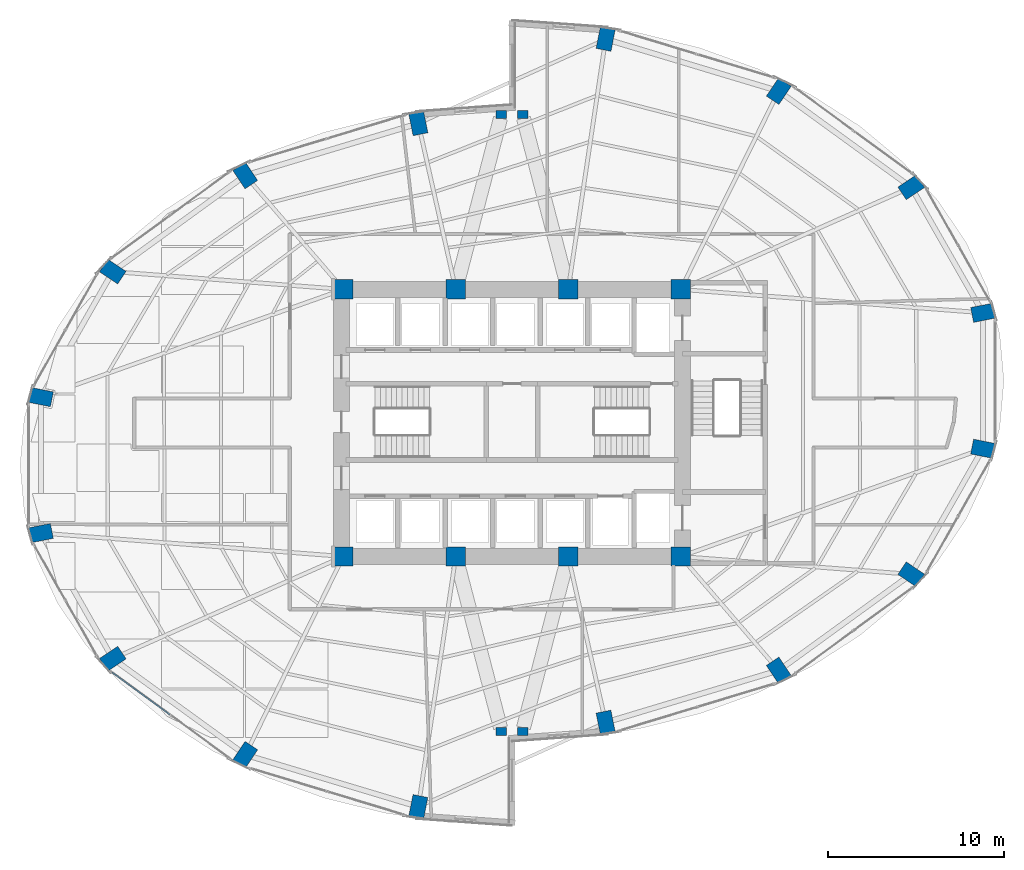
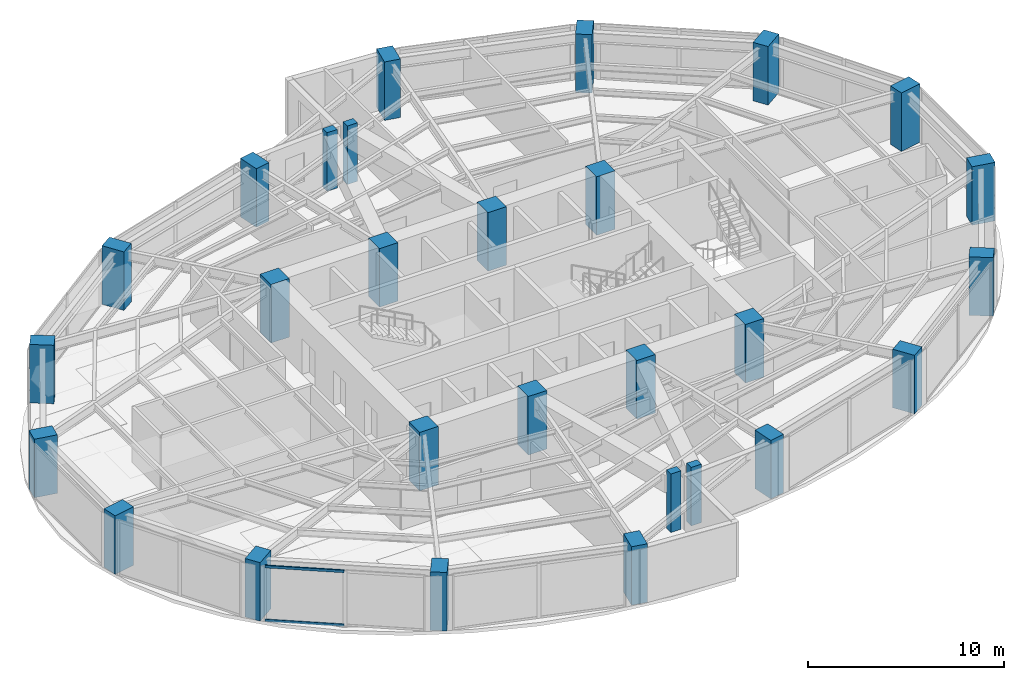
# One storey, part 1 of 24: 28 columns, 2 members, 1 element without a shape of its own.
"""IFC4 building model written with IfcOpenShell, lengths in metres."""

from ifc_helpers import new_model, si_unit, direction, frame, origin, origin_2d, place, context, subcontext, project, spatial, rectangle, hollow_rectangle, extrude, material, layer, layer_set, material_profile, profile_set, type_object, element, aggregate, save


model = new_model("IFC4")

# Units and contexts
model_context = context("Model", 3, precision=1e-05, world=origin(), true_north=direction((0.0, 1.0)))
body_context = subcontext(model_context, "Body", "Model", "MODEL_VIEW")
ifc_project = project(units=[si_unit("LENGTHUNIT", "METRE"), si_unit("AREAUNIT", "SQUARE_METRE"), si_unit("VOLUMEUNIT", "CUBIC_METRE"), si_unit("PLANEANGLEUNIT", "RADIAN"), si_unit("MASSUNIT", "GRAM", prefix="KILO")], contexts=[model_context])

# Site, building, storey
site_placement = place(None, origin())
site = spatial("IfcSite", under=ifc_project, at=site_placement, CompositionType="ELEMENT")
building_placement = place(site_placement, origin())
building = spatial("IfcBuilding", under=site, at=building_placement, Name="Lazwardi Medical Tower", CompositionType="ELEMENT")
storey_placement = place(building_placement, frame((0.0, 0.0, 68.97607421875)))
storey = spatial("IfcBuildingStorey", under=building, at=storey_placement, Name="L17", CompositionType="ELEMENT", Elevation=68.97607421875)

# Columns
ifc_material_1 = material(Name="Concrete C80/95", Category="concrete")
ifc_material_profile_1 = material_profile(ifc_material_1, rectangle(XDim=1.10009765625, YDim=1.10009765625, at=origin_2d()), Name="RC 1100x1100")
ifc_profile_set_1 = profile_set([ifc_material_profile_1], Name="Concrete C80/95")
column_type_1 = type_object("IfcColumnType", Name="COL-CC-L", PredefinedType="COLUMN", material=ifc_profile_set_1)
for number, where, z_axis, x_axis, name in (
    (1, (26.39990234375, 20.39990234375, 0.0), (0.0, 0.0, 1.0), (1.0, 0.0, 0.0), "Core column CC-01 CC1 L17"),
    (2, (32.800048828125, 20.39990234375, 0.0), (0.0, 0.0, 1.0), (1.0, 0.0, 0.0), "Core column CC-01 CC2 L17"),
    (3, (39.199951171875, 20.39990234375, 0.0), (0.0, 0.0, 1.0), (1.0, 0.0, 0.0), "Core column CC-01 CC3 L17"),
    (4, (45.60009765625, 20.39990234375, 0.0), (0.0, 0.0, 1.0), (1.0, 0.0, 0.0), "Core column CC-01 CC4 L17"),
    (5, (45.60009765625, 35.60009765625, 0.0), (0.0, 0.0, 1.0), (1.0, 0.0, 0.0), "Core column CC-01 CC5 L17"),
    (6, (39.199951171875, 35.60009765625, 0.0), (0.0, 0.0, 1.0), (1.0, 0.0, 0.0), "Core column CC-01 CC6 L17"),
    (7, (32.800048828125, 35.60009765625, 0.0), (0.0, 0.0, 1.0), (1.0, 0.0, 0.0), "Core column CC-01 CC7 L17"),
    (8, (26.39990234375, 35.60009765625, 0.0), (0.0, 0.0, 1.0), (1.0, 0.0, 0.0), "Core column CC-01 CC8 L17"),
):
    element("IfcColumn", number, at=place(storey_placement, frame(where, z_axis=z_axis, x_axis=x_axis)), inside=storey, type_object=column_type_1, Name=name, PredefinedType="COLUMN", context=body_context, shape_type="SweptSolid", body=[
        extrude(rectangle(XDim=1.10009765625, YDim=1.10009765625, at=origin_2d()), origin(), (0.0, 0.0, 1.0), 3.64794921875),
    ])
ifc_material_2 = material(Name="Concrete C70/85", Category="concrete")
ifc_material_profile_2 = material_profile(ifc_material_2, rectangle(XDim=1.25, YDim=0.860107421875, at=origin_2d()), Name="CFT-RECT 1250x860")
ifc_profile_set_2 = profile_set([ifc_material_profile_2], Name="Concrete C70/85")
column_type_2 = type_object("IfcColumnType", Name="COL-MC-Z1", PredefinedType="COLUMN", material=ifc_profile_set_2)
for number, where, z_axis, x_axis, name in (
    (9, (41.330810546875, 10.955810546875, 0.0), (0.0, 0.0, 1.0), (0.195090322016, -0.980785280403, 0.0), "Mega column MC-03 M01 L17"),
    (10, (51.180908203125, 13.916015625, 0.0), (0.0, 0.0, 1.0), (0.55557023302, -0.831469612303, 0.0), "Mega column MC-03 M02 L17"),
    (11, (58.719970703125, 19.3857421875, 0.0), (0.0, 0.0, 1.0), (0.831469612303, -0.55557023302, 0.0), "Mega column MC-03 M03 L17"),
    (12, (62.800048828125, 26.5322265625, 0.0), (0.0, 0.0, 1.0), (0.980785280403, -0.195090322016, 0.0), "Mega column MC-03 M04 L17"),
    (13, (62.800048828125, 34.267578125, 0.0), (0.0, 0.0, 1.0), (0.980785280403, 0.195090322016, 0.0), "Mega column MC-03 M05 L17"),
    (14, (58.719970703125, 41.414306640625, 0.0), (0.0, 0.0, 1.0), (0.831469612303, 0.55557023302, 0.0), "Mega column MC-03 M06 L17"),
    (15, (51.180908203125, 46.8837890625, 0.0), (0.0, 0.0, 1.0), (0.55557023302, 0.831469612303, 0.0), "Mega column MC-03 M07 L17"),
    (16, (41.330810546875, 49.843994140625, 0.0), (0.0, 0.0, 1.0), (0.195090322016, 0.980785280403, 0.0), "Mega column MC-03 M08 L17"),
    (17, (30.669189453125, 45.044189453125, 0.0), (0.0, 0.0, 1.0), (-0.195090322016, 0.980785280403, 0.0), "Mega column MC-03 M09 L17"),
    (18, (20.819091796875, 42.083984375, 0.0), (0.0, 0.0, 1.0), (-0.55557023302, 0.831469612303, 0.0), "Mega column MC-03 M10 L17"),
    (19, (13.280029296875, 36.6142578125, 0.0), (0.0, 0.0, 1.0), (-0.831469612303, 0.55557023302, 0.0), "Mega column MC-03 M11 L17"),
    (20, (9.199951171875, 29.4677734375, 0.0), (0.0, 0.0, 1.0), (-0.980785280403, 0.195090322016, 0.0), "Mega column MC-03 M12 L17"),
    (21, (9.199951171875, 21.732421875, 0.0), (0.0, 0.0, 1.0), (-0.980785280403, -0.195090322016, 0.0), "Mega column MC-03 M13 L17"),
    (22, (13.280029296875, 14.585693359375, 0.0), (0.0, 0.0, 1.0), (-0.831469612303, -0.55557023302, 0.0), "Mega column MC-03 M14 L17"),
    (23, (20.819091796875, 9.1162109375, 0.0), (0.0, 0.0, 1.0), (-0.55557023302, -0.831469612303, 0.0), "Mega column MC-03 M15 L17"),
    (24, (30.669189453125, 6.156005859375, 0.0), (0.0, 0.0, 1.0), (-0.195090322016, -0.980785280403, 0.0), "Mega column MC-03 M16 L17"),
):
    element("IfcColumn", number, at=place(storey_placement, frame(where, z_axis=z_axis, x_axis=x_axis)), inside=storey, type_object=column_type_2, Name=name, PredefinedType="COLUMN", context=body_context, shape_type="SweptSolid", body=[
        extrude(rectangle(XDim=1.25, YDim=0.860107421875, at=origin_2d()), origin(), (0.0, 0.0, 1.0), 3.64794921875),
    ])
ifc_material_3 = material(Name="Concrete C60/75", Category="concrete")
ifc_material_profile_3 = material_profile(ifc_material_3, rectangle(XDim=0.60009765625, YDim=0.449951171875, at=origin_2d()), Name="RC 600x450")
ifc_profile_set_3 = profile_set([ifc_material_profile_3], Name="Concrete C60/75")
column_type_3 = type_object("IfcColumnType", Name="COL-PL-IW", PredefinedType="PILASTER", material=ifc_profile_set_3)
for number, where, z_axis, x_axis, name in (
    (25, (35.39990234375, 45.550048828125, 0.0), (0.0, 0.0, 1.0), (1.0, 0.0, 0.0), "Iwan pilaster column PL-C1 PL1 L17"),
    (26, (36.60009765625, 45.550048828125, 0.0), (0.0, 0.0, 1.0), (1.0, 0.0, 0.0), "Iwan pilaster column PL-C1 PL2 L17"),
    (27, (35.39990234375, 10.449951171875, 0.0), (0.0, 0.0, 1.0), (1.0, 0.0, 0.0), "Iwan pilaster column PL-C1 PL3 L17"),
    (28, (36.60009765625, 10.449951171875, 0.0), (0.0, 0.0, 1.0), (1.0, 0.0, 0.0), "Iwan pilaster column PL-C1 PL4 L17"),
):
    element("IfcColumn", number, at=place(storey_placement, frame(where, z_axis=z_axis, x_axis=x_axis)), inside=storey, type_object=column_type_3, Name=name, PredefinedType="PILASTER", context=body_context, shape_type="SweptSolid", body=[
        extrude(rectangle(XDim=0.60009765625, YDim=0.449951171875, at=origin_2d()), origin(), (0.0, 0.0, 1.0), 3.64794921875),
    ])

# Curtain wall, members
ifc_material_4 = material(Name="Anodised bronze aluminium and solar control glazing", Category="aluminium")
ifc_layer = layer(ifc_material_4, 0.199951171875)
ifc_layer_set = layer_set([ifc_layer], Name="Anodised bronze aluminium and solar control glazing")
curtain_wall_type = type_object("IfcCurtainWallType", Name="CW-SYS-02", PredefinedType="NOTDEFINED", material=ifc_layer_set)
curtain_wall_placement = place(storey_placement, origin())
curtain_wall = element("IfcCurtainWall", 29, at=curtain_wall_placement, inside=storey, type_object=curtain_wall_type, Name="L17 Unitised bronze curtain wall CW-02", PredefinedType="NOTDEFINED")
ifc_material_5 = material(Name="Anodised bronze aluminium", Category="aluminium")
ifc_material_profile_4 = material_profile(ifc_material_5, hollow_rectangle(XDim=0.074951171875, YDim=0.159912109375, WallThickness=0.00390625, at=origin_2d()), Name="ALU-TRANSOM 160x75x4")
ifc_profile_set_4 = profile_set([ifc_material_profile_4], Name="Anodised bronze aluminium")
member_type = type_object("IfcMemberType", Name="CW-TRN-01", PredefinedType="USERDEFINED", material=ifc_profile_set_4)
member_1_placement = place(storey_placement, frame((13.239990234375, 13.805419921875, 0.037353515625), z_axis=(0.807189956199, -0.590291770748, 0.0), x_axis=(0.590291770748, 0.807189956199, 0.0)))
member_1 = element("IfcMember", 30, at=member_1_placement, type_object=member_type, Name="CW-02 transom 1.1", ObjectType="TRANSOM", PredefinedType="USERDEFINED", context=body_context, shape_type="SweptSolid", body=[
    extrude(hollow_rectangle(XDim=0.074951171875, YDim=0.159912109375, WallThickness=0.00390625, at=origin_2d()), origin(), (0.0, 0.0, 1.0), 4.070068359375),
])
member_2_placement = place(storey_placement, frame((13.239990234375, 13.805419921875, 3.390380859375), z_axis=(0.807189956199, -0.590291770748, 0.0), x_axis=(0.590291770748, 0.807189956199, 0.0)))
member_2 = element("IfcMember", 31, at=member_2_placement, type_object=member_type, Name="CW-02 transom 1.2", ObjectType="TRANSOM", PredefinedType="USERDEFINED", context=body_context, shape_type="SweptSolid", body=[
    extrude(hollow_rectangle(XDim=0.074951171875, YDim=0.159912109375, WallThickness=0.00390625, at=origin_2d()), origin(), (0.0, 0.0, 1.0), 4.070068359375),
])
aggregate(curtain_wall, [member_1, member_2])

save(model, "model.ifc")
